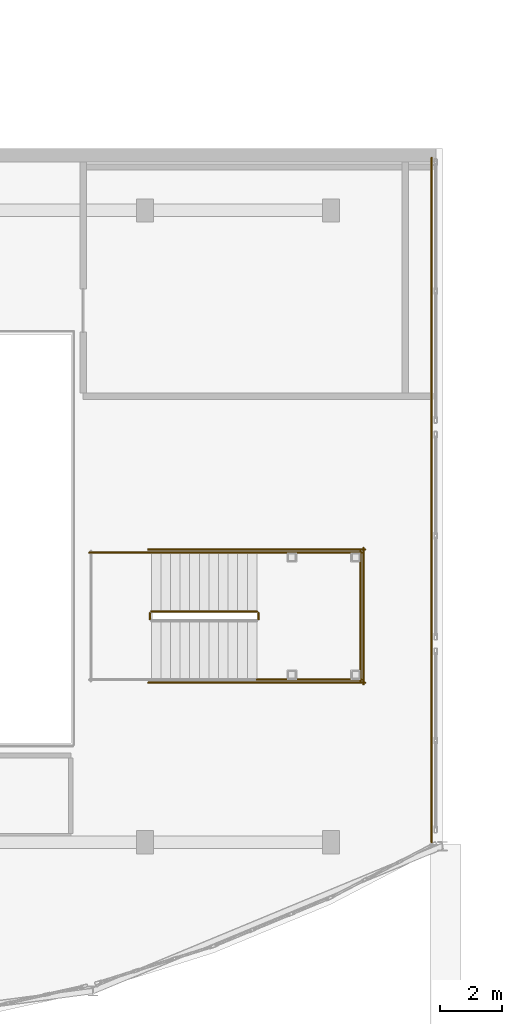
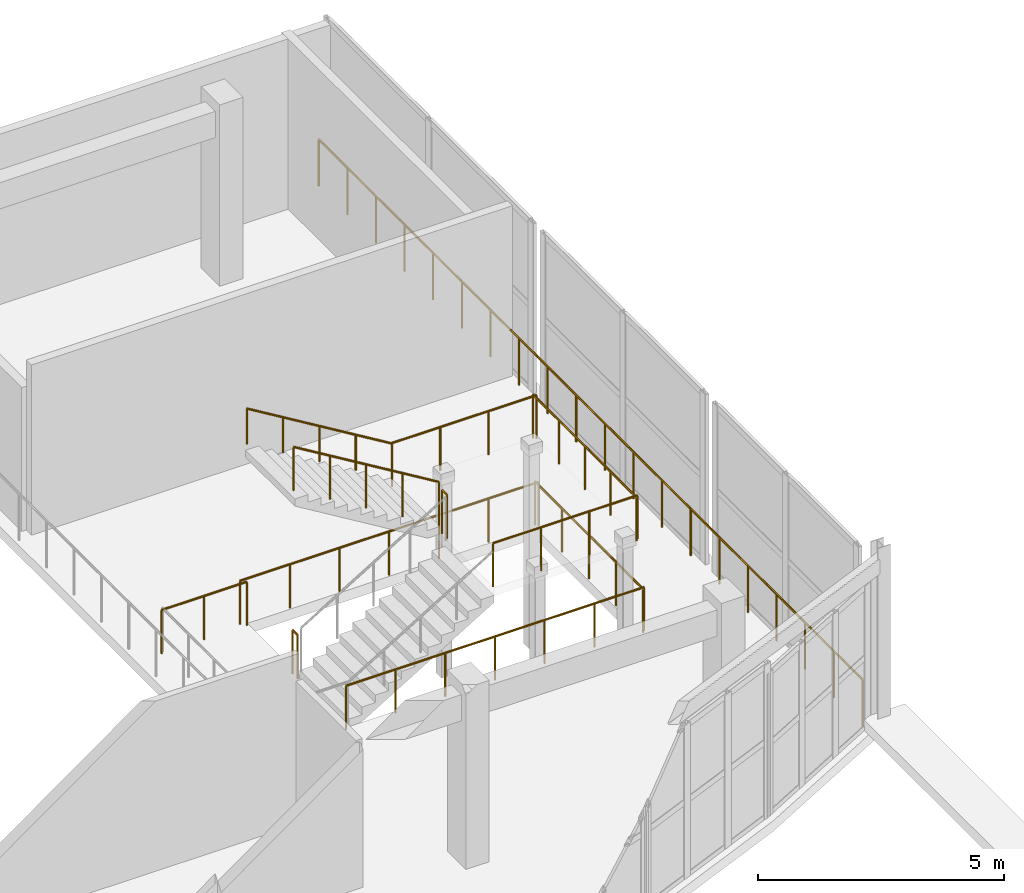
# One storey, part 79 of 92: 12 railings.
"""IFC4 building model written with IfcOpenShell, lengths in metres."""

import ifcopenshell
import ifcopenshell.guid

model = None  # the IFC model being written
_history = None  # IfcOwnerHistory: only IFC2X3 demands one
_inside = {}  # id of a spatial element -> (the spatial element, [elements in it])
_under = {}  # id of a project, library or spatial element -> (it, [spatial elements below it])
_declared = {}  # id of a project -> (the project, [libraries it declares])
_typed = {}  # id of a type object -> (the type object, [elements of that type])
_made_of = {}  # id of a material, layer set ... -> (it, [elements and type objects made of it])


def new_model(schema):
    """Start an empty IFC model of exactly this schema.

    Asked for "IFC4X3", IfcOpenShell would pick the latest addendum, in which some entities
    have other attributes; the version numbers below select the first issue.
    IFC2X3 requires an IfcOwnerHistory on every rooted entity: one is made here for all.
    """
    global model, _history
    if schema == "IFC4X3":
        model = ifcopenshell.file(schema_version=(4, 3, 0, 0))
    else:
        model = ifcopenshell.file(schema=schema)
    _inside.clear()
    _under.clear()
    _declared.clear()
    _typed.clear()
    _made_of.clear()
    _history = None
    if model.schema == "IFC2X3":
        org = make("IfcOrganization", Name="unknown")
        user = make(
            "IfcPersonAndOrganization",
            ThePerson=make("IfcPerson", FamilyName="unknown"),
            TheOrganization=org,
        )
        app = make(
            "IfcApplication",
            ApplicationDeveloper=org,
            Version="unknown",
            ApplicationFullName="unknown",
            ApplicationIdentifier="unknown",
        )
        _history = make(
            "IfcOwnerHistory",
            OwningUser=user,
            OwningApplication=app,
            ChangeAction="ADDED",
            CreationDate=0,
        )
    return model


def make(cls, **values):
    """One entity of the class cls with the attributes given. An attribute that is None is left unset."""
    return model.create_entity(
        cls, **{name: value for name, value in values.items() if value is not None}
    )


def rooted(cls, **values):
    """An entity with a GlobalId (a new one), such as an element, a storey or a relation."""
    return make(cls, GlobalId=ifcopenshell.guid.new(), OwnerHistory=_history, **values)


def si_unit(unit_type, name, prefix=None):
    """IfcSIUnit, for example si_unit("LENGTHUNIT", "METRE", prefix="MILLI")."""
    return make("IfcSIUnit", UnitType=unit_type, Prefix=prefix, Name=name)


def assignment(units):
    """IfcUnitAssignment: the units of a project."""
    return None if units is None else make("IfcUnitAssignment", Units=units)


def point(xyz):
    """IfcCartesianPoint."""
    return None if xyz is None else make("IfcCartesianPoint", Coordinates=xyz)


def direction(xyz):
    """IfcDirection."""
    return None if xyz is None else make("IfcDirection", DirectionRatios=xyz)


def frame(location, z_axis=None, x_axis=None):
    """IfcAxis2Placement3D, a coordinate frame: its origin and axes. An axis left out is left unset."""
    return make(
        "IfcAxis2Placement3D",
        Location=point(location),
        Axis=direction(z_axis),
        RefDirection=direction(x_axis),
    )


def frame_2d(location, x_axis=None):
    """IfcAxis2Placement2D, a coordinate frame in the plane: its origin and x axis."""
    return make(
        "IfcAxis2Placement2D", Location=point(location), RefDirection=direction(x_axis)
    )


def origin():
    """The frame at (0, 0, 0) with its axes left unset."""
    return frame((0.0, 0.0, 0.0))


def origin_2d():
    """The frame at (0, 0) in the plane with its x axis left unset."""
    return frame_2d((0.0, 0.0))


def place(relative_to, where):
    """IfcLocalPlacement: puts the frame where relative to a parent placement (None: the world)."""
    return make(
        "IfcLocalPlacement", PlacementRelTo=relative_to, RelativePlacement=where
    )


def context(
    kind, dimensions, precision=None, world=None, true_north=None, identifier=None
):
    """IfcGeometricRepresentationContext, for example the 3D "Model" context."""
    return make(
        "IfcGeometricRepresentationContext",
        ContextIdentifier=identifier,
        ContextType=kind,
        CoordinateSpaceDimension=dimensions,
        Precision=precision,
        WorldCoordinateSystem=world,
        TrueNorth=true_north,
    )


def subcontext(parent, identifier, kind, view, scale=None):
    """IfcGeometricRepresentationSubContext, for example "Body" below "Model"."""
    return make(
        "IfcGeometricRepresentationSubContext",
        ContextIdentifier=identifier,
        ContextType=kind,
        ParentContext=parent,
        TargetScale=scale,
        TargetView=view,
    )


def project(units=None, contexts=None):
    """IfcProject with its units and contexts."""
    return rooted(
        "IfcProject",
        Name="project",
        RepresentationContexts=contexts,
        UnitsInContext=assignment(units),
    )


def spatial(cls, under=None, at=None, **own):
    """A site, building, storey or space (cls), placed at a placement, below another one or the project."""
    s = rooted(cls, ObjectPlacement=at, **own)
    if under is not None:
        _under.setdefault(under.id(), (under, []))[1].append(s)
    return s


def profile(cls, at=None, kind="AREA", **sizes):
    """A parametric profile (cls). Its sizes go by their IFC names, for example OverallWidth=200.0."""
    return make(cls, ProfileType=kind, Position=at, **sizes)


def circle(**sizes):
    """IfcCircleProfileDef."""
    return profile("IfcCircleProfileDef", **sizes)


def extrude(swept, where, along, depth):
    """IfcExtrudedAreaSolid: the profile swept, set in the frame where, extruded along a direction by depth."""
    return make(
        "IfcExtrudedAreaSolid",
        SweptArea=swept,
        Position=where,
        ExtrudedDirection=direction(along),
        Depth=depth,
    )


def shape(context_of_items, identifier, shape_type, items):
    """IfcShapeRepresentation: the items that make up one representation, for example the "Body"."""
    return make(
        "IfcShapeRepresentation",
        ContextOfItems=context_of_items,
        RepresentationIdentifier=identifier,
        RepresentationType=shape_type,
        Items=items,
    )


def material(Name=None, Category=None):
    """IfcMaterial."""
    return make("IfcMaterial", Name=Name, Category=Category)


def made_of(thing, what):
    """Note that an element or type object is made of a material, layer set ...; save() writes the relation."""
    if what is not None:
        _made_of.setdefault(what.id(), (what, []))[1].append(thing)
    return thing


def type_object(cls, material=None, **own):
    """A type object (cls), such as IfcWallType, which elements share."""
    return made_of(rooted(cls, **own), material)


def element(
    cls,
    number,
    at=None,
    inside=None,
    cuts=None,
    type_object=None,
    material=None,
    context=None,
    identifier="Body",
    shape_type=None,
    held_by="IfcProductDefinitionShape",
    body=None,
    shapes=None,
    **own,
):
    """One element of the class cls, such as IfcWall. Its Tag is "e" and its number.

    at: its placement. inside: the storey or other place that contains it. cuts: it is an
    opening in that element (IfcRelVoidsElement). A single representation is given by context,
    identifier, shape_type and body (its items); several are given by shapes. held_by: the class
    of the entity that holds the representations. save() writes the other relations.
    """
    e = rooted(cls, Tag="e%d" % number, ObjectPlacement=at, **own)
    if body is not None:
        shapes = [shape(context, identifier, shape_type, body)]
    if shapes is not None:
        e.Representation = make(held_by, Representations=shapes)
    if inside is not None:
        _inside.setdefault(inside.id(), (inside, []))[1].append(e)
    if cuts is not None:
        rooted(
            "IfcRelVoidsElement", RelatingBuildingElement=cuts, RelatedOpeningElement=e
        )
    if type_object is not None:
        _typed.setdefault(type_object.id(), (type_object, []))[1].append(e)
    return made_of(e, material)


def aggregate(whole, parts):
    """IfcRelAggregates: a whole, such as a stair, and the parts it consists of."""
    return rooted("IfcRelAggregates", RelatingObject=whole, RelatedObjects=parts)


def save(model, path):
    """Write the relations noted so far, then the file.

    IfcRelAggregates (storeys below a building ...), IfcRelContainedInSpatialStructure (elements
    in a storey), IfcRelDefinesByType, IfcRelAssociatesMaterial and IfcRelDeclares: one each for
    every whole, place, type object, material and project.
    """
    for whole, parts in _under.values():
        aggregate(whole, parts)
    for where, things in _inside.values():
        rooted(
            "IfcRelContainedInSpatialStructure",
            RelatedElements=things,
            RelatingStructure=where,
        )
    for kind, things in _typed.values():
        rooted("IfcRelDefinesByType", RelatedObjects=things, RelatingType=kind)
    for what, things in _made_of.values():
        rooted("IfcRelAssociatesMaterial", RelatedObjects=things, RelatingMaterial=what)
    for by, libraries in _declared.values():
        rooted("IfcRelDeclares", RelatingContext=by, RelatedDefinitions=libraries)
    model.write(path)


model = new_model("IFC4")

# Units and contexts
model_context = context("Model", 3, precision=1e-05, world=origin(), true_north=direction((0.0, 1.0)))
body_context = subcontext(model_context, "Body", "Model", "MODEL_VIEW")
ifc_project = project(units=[si_unit("LENGTHUNIT", "METRE"), si_unit("AREAUNIT", "SQUARE_METRE"), si_unit("VOLUMEUNIT", "CUBIC_METRE"), si_unit("PLANEANGLEUNIT", "RADIAN"), si_unit("MASSUNIT", "GRAM", prefix="KILO")], contexts=[model_context])

# Site, building, storey
site_placement = place(None, origin())
site = spatial("IfcSite", under=ifc_project, at=site_placement, CompositionType="ELEMENT")
building_placement = place(site_placement, origin())
building = spatial("IfcBuilding", under=site, at=building_placement, Name="Tarnavel Promenade Courthouse", CompositionType="ELEMENT")
storey_placement = place(building_placement, frame((0.0, 0.0, 5.39990234375)))
storey = spatial("IfcBuildingStorey", under=building, at=storey_placement, Name="L02", CompositionType="ELEMENT", Elevation=5.39990234375)

# Railings
ifc_material_1 = material(Name="Brushed Bronze Tubular Stair Handrail")
railing_type_1 = type_object("IfcRailingType", Name="Brushed Bronze Tubular Stair Handrail (RL-HND-0900)", PredefinedType="HANDRAIL", material=ifc_material_1)
railing_1_placement = place(storey_placement, frame((49.2099609375, 24.14990234375, 2.4375)))
element("IfcRailing", 1, at=railing_1_placement, inside=storey, type_object=railing_type_1, Name="L02 ST-09 stair handrail 2", PredefinedType="HANDRAIL", context=body_context, shape_type="SweptSolid", body=[
    extrude(circle(Radius=0.02392578125, at=origin_2d()), frame((0.0, 0.0, 0.8759765625), z_axis=(-0.855655013707, 0.0, 0.517546613861), x_axis=(0.0, -1.0, 0.0)), (0.0, 0.0, 1.0), 3.985107421875),
    extrude(circle(Radius=0.02099609375, at=origin_2d()), origin(), (0.0, 0.0, 1.0), 0.851806640625),
    extrude(circle(Radius=0.02099609375, at=origin_2d()), frame((-0.8525390625, 0.0, 0.515625)), (0.0, 0.0, 1.0), 0.851806640625),
    extrude(circle(Radius=0.02099609375, at=origin_2d()), frame((-1.705078125, 0.0, 1.03125)), (0.0, 0.0, 1.0), 0.851806640625),
    extrude(circle(Radius=0.02099609375, at=origin_2d()), frame((-2.557373046875, 0.0, 1.546875)), (0.0, 0.0, 1.0), 0.851806640625),
    extrude(circle(Radius=0.02099609375, at=origin_2d()), frame((-3.409912109375, 0.0, 2.0625)), (0.0, 0.0, 1.0), 0.851806640625),
])
ifc_material_2 = material(Name="Laminated Glass and Bronze Concourse Gallery Balustrade", Category="glass")
railing_type_2 = type_object("IfcRailingType", Name="Laminated Glass and Bronze Concourse Gallery Balustrade (RL-BAL-1180)", PredefinedType="BALUSTRADE", material=ifc_material_2)
railing_2_placement = place(storey_placement, frame((54.85009765625, 14.800048828125, 0.0)))
element("IfcRailing", 2, at=railing_2_placement, inside=storey, type_object=railing_type_2, Name="L02 Public Drum East Curtain-Wall Guardrail", PredefinedType="BALUSTRADE", context=body_context, shape_type="SweptSolid", body=[
    extrude(circle(Radius=0.02392578125, at=origin_2d()), frame((0.0, 0.0, 1.15576171875), z_axis=(0.0, 1.0, 0.0), x_axis=(-1.0, 0.0, 0.0)), (0.0, 0.0, 1.0), 22.099853515625),
    extrude(circle(Radius=0.02099609375, at=origin_2d()), origin(), (0.0, 0.0, 1.0), 1.1318359375),
    extrude(circle(Radius=0.02099609375, at=origin_2d()), frame((0.0, 1.1630859375, 0.0)), (0.0, 0.0, 1.0), 1.1318359375),
    extrude(circle(Radius=0.02099609375, at=origin_2d()), frame((0.0, 2.326416015625, 0.0)), (0.0, 0.0, 1.0), 1.1318359375),
    extrude(circle(Radius=0.02099609375, at=origin_2d()), frame((0.0, 3.489501953125, 0.0)), (0.0, 0.0, 1.0), 1.1318359375),
    extrude(circle(Radius=0.02099609375, at=origin_2d()), frame((0.0, 4.652587890625, 0.0)), (0.0, 0.0, 1.0), 1.1318359375),
    extrude(circle(Radius=0.02099609375, at=origin_2d()), frame((0.0, 5.815673828125, 0.0)), (0.0, 0.0, 1.0), 1.1318359375),
    extrude(circle(Radius=0.02099609375, at=origin_2d()), frame((0.0, 6.97900390625, 0.0)), (0.0, 0.0, 1.0), 1.1318359375),
    extrude(circle(Radius=0.02099609375, at=origin_2d()), frame((0.0, 8.14208984375, 0.0)), (0.0, 0.0, 1.0), 1.1318359375),
    extrude(circle(Radius=0.02099609375, at=origin_2d()), frame((0.0, 9.30517578125, 0.0)), (0.0, 0.0, 1.0), 1.1318359375),
    extrude(circle(Radius=0.02099609375, at=origin_2d()), frame((0.0, 10.46826171875, 0.0)), (0.0, 0.0, 1.0), 1.1318359375),
    extrude(circle(Radius=0.02099609375, at=origin_2d()), frame((0.0, 11.631591796875, 0.0)), (0.0, 0.0, 1.0), 1.1318359375),
    extrude(circle(Radius=0.02099609375, at=origin_2d()), frame((0.0, 12.794677734375, 0.0)), (0.0, 0.0, 1.0), 1.1318359375),
    extrude(circle(Radius=0.02099609375, at=origin_2d()), frame((0.0, 13.957763671875, 0.0)), (0.0, 0.0, 1.0), 1.1318359375),
    extrude(circle(Radius=0.02099609375, at=origin_2d()), frame((0.0, 15.120849609375, 0.0)), (0.0, 0.0, 1.0), 1.1318359375),
    extrude(circle(Radius=0.02099609375, at=origin_2d()), frame((0.0, 16.2841796875, 0.0)), (0.0, 0.0, 1.0), 1.1318359375),
    extrude(circle(Radius=0.02099609375, at=origin_2d()), frame((0.0, 17.447265625, 0.0)), (0.0, 0.0, 1.0), 1.1318359375),
    extrude(circle(Radius=0.02099609375, at=origin_2d()), frame((0.0, 18.6103515625, 0.0)), (0.0, 0.0, 1.0), 1.1318359375),
    extrude(circle(Radius=0.02099609375, at=origin_2d()), frame((0.0, 19.7734375, 0.0)), (0.0, 0.0, 1.0), 1.1318359375),
    extrude(circle(Radius=0.02099609375, at=origin_2d()), frame((0.0, 20.936767578125, 0.0)), (0.0, 0.0, 1.0), 1.1318359375),
    extrude(circle(Radius=0.02099609375, at=origin_2d()), frame((0.0, 22.099853515625, 0.0)), (0.0, 0.0, 1.0), 1.1318359375),
])
ifc_material_3 = material(Name="Painted Architectural Steel Stair & Atrium Guardrail", Category="steel")
railing_type_3 = type_object("IfcRailingType", Name="Painted Architectural Steel Stair & Atrium Guardrail (RL-GRD-1120)", PredefinedType="GUARDRAIL", material=ifc_material_3)
railing_3_placement = place(storey_placement, frame((49.260009765625, 22.0, 2.25)))
element("IfcRailing", 3, at=railing_3_placement, inside=storey, type_object=railing_type_3, Name="L02 ST-09 stair guard 2", PredefinedType="GUARDRAIL", context=body_context, shape_type="SweptSolid", body=[
    extrude(circle(Radius=0.02392578125, at=origin_2d()), frame((0.0, 0.0, 1.076171875), z_axis=(0.0, 1.0, 0.0), x_axis=(-1.0, 0.0, 0.0)), (0.0, 0.0, 1.0), 0.199951171875),
    extrude(circle(Radius=0.02099609375, at=origin_2d()), origin(), (0.0, 0.0, 1.0), 1.052001953125),
    extrude(circle(Radius=0.02099609375, at=origin_2d()), frame((0.0, 0.199951171875, 0.0)), (0.0, 0.0, 1.0), 1.052001953125),
])
for number, where, name in (
    (4, (49.2099609375, 20.050048828125, 2.25), "L02 ST-09 stair guard 3"),
    (5, (49.2099609375, 24.14990234375, 2.25), "L02 ST-09 stair guard 4"),
):
    element("IfcRailing", number, at=place(storey_placement, frame(where)), inside=storey, type_object=railing_type_3, Name=name, PredefinedType="GUARDRAIL", context=body_context, shape_type="SweptSolid", body=[
        extrude(circle(Radius=0.02392578125, at=origin_2d()), frame((0.0, 0.0, 1.076171875), z_axis=(1.0, 0.0, 0.0), x_axis=(0.0, 1.0, 0.0)), (0.0, 0.0, 1.0), 3.39013671875),
        extrude(circle(Radius=0.02099609375, at=origin_2d()), origin(), (0.0, 0.0, 1.0), 1.052001953125),
        extrude(circle(Radius=0.02099609375, at=origin_2d()), frame((1.130126953125, 0.0, 0.0)), (0.0, 0.0, 1.0), 1.052001953125),
        extrude(circle(Radius=0.02099609375, at=origin_2d()), frame((2.260009765625, 0.0, 0.0)), (0.0, 0.0, 1.0), 1.052001953125),
        extrude(circle(Radius=0.02099609375, at=origin_2d()), frame((3.39013671875, 0.0, 0.0)), (0.0, 0.0, 1.0), 1.052001953125),
    ])
railing_4_placement = place(storey_placement, frame((52.550048828125, 20.0, 2.25)))
element("IfcRailing", 6, at=railing_4_placement, inside=storey, type_object=railing_type_3, Name="L02 ST-09 stair guard 5", PredefinedType="GUARDRAIL", context=body_context, shape_type="SweptSolid", body=[
    extrude(circle(Radius=0.02392578125, at=origin_2d()), frame((0.0, 0.0, 1.076171875), z_axis=(0.0, 1.0, 0.0), x_axis=(-1.0, 0.0, 0.0)), (0.0, 0.0, 1.0), 4.199951171875),
    extrude(circle(Radius=0.02099609375, at=origin_2d()), origin(), (0.0, 0.0, 1.0), 1.052001953125),
    extrude(circle(Radius=0.02099609375, at=origin_2d()), frame((0.0, 1.050048828125, 0.0)), (0.0, 0.0, 1.0), 1.052001953125),
    extrude(circle(Radius=0.02099609375, at=origin_2d()), frame((0.0, 2.10009765625, 0.0)), (0.0, 0.0, 1.0), 1.052001953125),
    extrude(circle(Radius=0.02099609375, at=origin_2d()), frame((0.0, 3.14990234375, 0.0)), (0.0, 0.0, 1.0), 1.052001953125),
    extrude(circle(Radius=0.02099609375, at=origin_2d()), frame((0.0, 4.199951171875, 0.0)), (0.0, 0.0, 1.0), 1.052001953125),
])
railing_5_placement = place(storey_placement, frame((49.2099609375, 22.25, 2.4375)))
element("IfcRailing", 7, at=railing_5_placement, inside=storey, type_object=railing_type_3, Name="L02 ST-09 stair guard 6", PredefinedType="GUARDRAIL", context=body_context, shape_type="SweptSolid", body=[
    extrude(circle(Radius=0.02392578125, at=origin_2d()), frame((0.0, 0.0, 1.076171875), z_axis=(-0.855655013707, 0.0, 0.517546613861), x_axis=(0.0, -1.0, 0.0)), (0.0, 0.0, 1.0), 3.985107421875),
    extrude(circle(Radius=0.02099609375, at=origin_2d()), origin(), (0.0, 0.0, 1.0), 1.052001953125),
    extrude(circle(Radius=0.02099609375, at=origin_2d()), frame((-0.8525390625, 0.0, 0.515625)), (0.0, 0.0, 1.0), 1.052001953125),
    extrude(circle(Radius=0.02099609375, at=origin_2d()), frame((-1.705078125, 0.0, 1.03125)), (0.0, 0.0, 1.0), 1.052001953125),
    extrude(circle(Radius=0.02099609375, at=origin_2d()), frame((-2.557373046875, 0.0, 1.546875)), (0.0, 0.0, 1.0), 1.052001953125),
    extrude(circle(Radius=0.02099609375, at=origin_2d()), frame((-3.409912109375, 0.0, 2.0625)), (0.0, 0.0, 1.0), 1.052001953125),
])
railing_6_placement = place(storey_placement, frame((45.75, 22.0, 0.0)))
element("IfcRailing", 8, at=railing_6_placement, inside=storey, type_object=railing_type_3, Name="L02 ST-09 stair guard 7", PredefinedType="GUARDRAIL", context=body_context, shape_type="SweptSolid", body=[
    extrude(circle(Radius=0.02392578125, at=origin_2d()), frame((0.0, 0.0, 1.076171875), z_axis=(0.0, 1.0, 0.0), x_axis=(-1.0, 0.0, 0.0)), (0.0, 0.0, 1.0), 0.199951171875),
    extrude(circle(Radius=0.02099609375, at=origin_2d()), origin(), (0.0, 0.0, 1.0), 1.052001953125),
    extrude(circle(Radius=0.02099609375, at=origin_2d()), frame((0.0, 0.199951171875, 0.0)), (0.0, 0.0, 1.0), 1.052001953125),
])
railing_7_placement = place(storey_placement, frame((43.800048828125, 24.14990234375, 0.0)))
element("IfcRailing", 9, at=railing_7_placement, inside=storey, type_object=railing_type_3, Name="L02 ST-09 stair guard 9", PredefinedType="GUARDRAIL", context=body_context, shape_type="SweptSolid", body=[
    extrude(circle(Radius=0.02392578125, at=origin_2d()), frame((0.0, 0.0, 1.076171875), z_axis=(1.0, 0.0, 0.0), x_axis=(0.0, 1.0, 0.0)), (0.0, 0.0, 1.0), 2.0),
    extrude(circle(Radius=0.02099609375, at=origin_2d()), origin(), (0.0, 0.0, 1.0), 1.052001953125),
    extrude(circle(Radius=0.02099609375, at=origin_2d()), frame((1.0, 0.0, 0.0)), (0.0, 0.0, 1.0), 1.052001953125),
    extrude(circle(Radius=0.02099609375, at=origin_2d()), frame((2.0, 0.0, 0.0)), (0.0, 0.0, 1.0), 1.052001953125),
])
for number, where, name in (
    (10, (45.699951171875, 19.949951171875, 0.0), "L02 ST-09 stair guard 11"),
    (11, (45.699951171875, 24.25, 0.0), "L02 ST-09 stair guard 12"),
):
    element("IfcRailing", number, at=place(storey_placement, frame(where)), inside=storey, type_object=railing_type_3, Name=name, PredefinedType="GUARDRAIL", context=body_context, shape_type="SweptSolid", body=[
        extrude(circle(Radius=0.02392578125, at=origin_2d()), frame((0.0, 0.0, 1.076171875), z_axis=(1.0, 0.0, 0.0), x_axis=(0.0, 1.0, 0.0)), (0.0, 0.0, 1.0), 7.0),
        extrude(circle(Radius=0.02099609375, at=origin_2d()), origin(), (0.0, 0.0, 1.0), 1.052001953125),
        extrude(circle(Radius=0.02099609375, at=origin_2d()), frame((1.166748046875, 0.0, 0.0)), (0.0, 0.0, 1.0), 1.052001953125),
        extrude(circle(Radius=0.02099609375, at=origin_2d()), frame((2.333251953125, 0.0, 0.0)), (0.0, 0.0, 1.0), 1.052001953125),
        extrude(circle(Radius=0.02099609375, at=origin_2d()), frame((3.5, 0.0, 0.0)), (0.0, 0.0, 1.0), 1.052001953125),
        extrude(circle(Radius=0.02099609375, at=origin_2d()), frame((4.666748046875, 0.0, 0.0)), (0.0, 0.0, 1.0), 1.052001953125),
        extrude(circle(Radius=0.02099609375, at=origin_2d()), frame((5.833251953125, 0.0, 0.0)), (0.0, 0.0, 1.0), 1.052001953125),
        extrude(circle(Radius=0.02099609375, at=origin_2d()), frame((7.0, 0.0, 0.0)), (0.0, 0.0, 1.0), 1.052001953125),
    ])
railing_8_placement = place(storey_placement, frame((52.64990234375, 19.89990234375, 0.0)))
element("IfcRailing", 12, at=railing_8_placement, inside=storey, type_object=railing_type_3, Name="L02 ST-09 stair guard 13", PredefinedType="GUARDRAIL", context=body_context, shape_type="SweptSolid", body=[
    extrude(circle(Radius=0.02392578125, at=origin_2d()), frame((0.0, 0.0, 1.076171875), z_axis=(0.0, 1.0, 0.0), x_axis=(-1.0, 0.0, 0.0)), (0.0, 0.0, 1.0), 4.400146484375),
    extrude(circle(Radius=0.02099609375, at=origin_2d()), origin(), (0.0, 0.0, 1.0), 1.052001953125),
    extrude(circle(Radius=0.02099609375, at=origin_2d()), frame((0.0, 1.10009765625, 0.0)), (0.0, 0.0, 1.0), 1.052001953125),
    extrude(circle(Radius=0.02099609375, at=origin_2d()), frame((0.0, 2.2001953125, 0.0)), (0.0, 0.0, 1.0), 1.052001953125),
    extrude(circle(Radius=0.02099609375, at=origin_2d()), frame((0.0, 3.300048828125, 0.0)), (0.0, 0.0, 1.0), 1.052001953125),
    extrude(circle(Radius=0.02099609375, at=origin_2d()), frame((0.0, 4.400146484375, 0.0)), (0.0, 0.0, 1.0), 1.052001953125),
])

save(model, "model.ifc")
